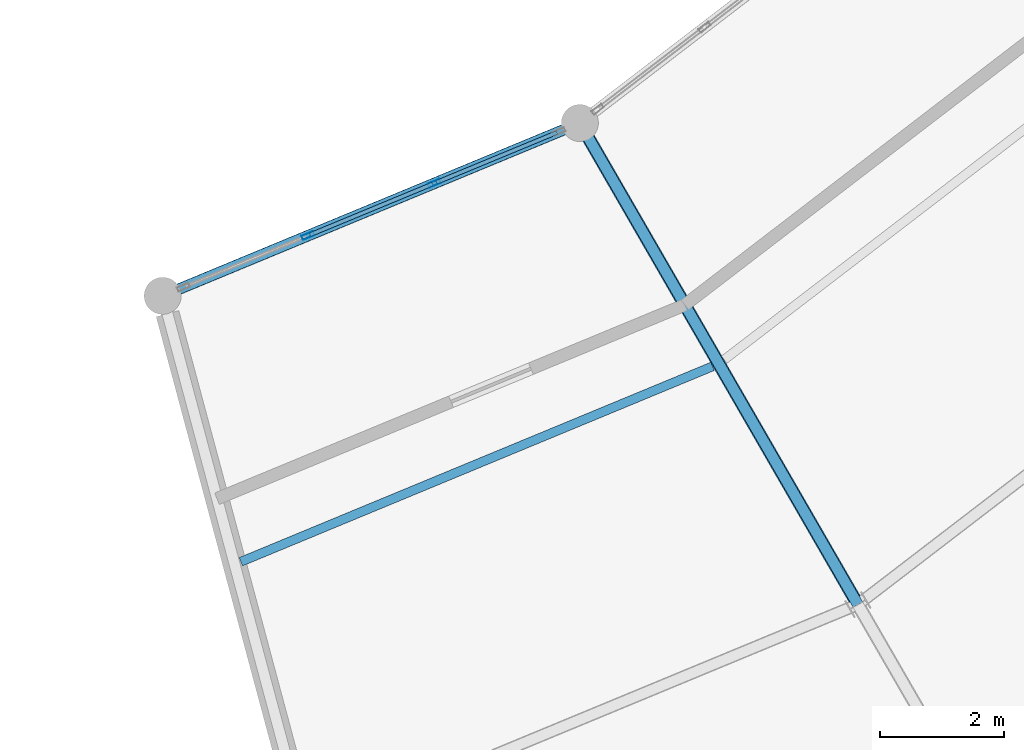
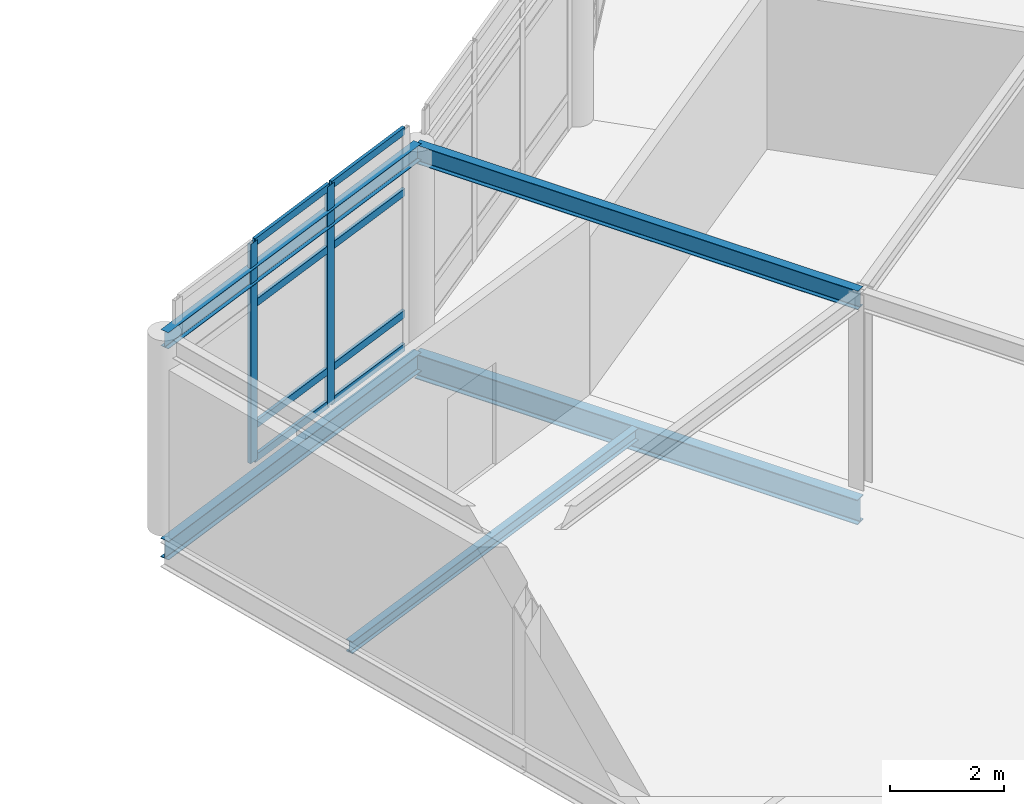
# One storey, part 44 of 170: 10 members, 5 beams, 1 element without a shape of its own.
"""IFC4 building model written with IfcOpenShell, lengths in metres."""

import ifcopenshell
import ifcopenshell.guid

model = None  # the IFC model being written
_history = None  # IfcOwnerHistory: only IFC2X3 demands one
_inside = {}  # id of a spatial element -> (the spatial element, [elements in it])
_under = {}  # id of a project, library or spatial element -> (it, [spatial elements below it])
_declared = {}  # id of a project -> (the project, [libraries it declares])
_typed = {}  # id of a type object -> (the type object, [elements of that type])
_made_of = {}  # id of a material, layer set ... -> (it, [elements and type objects made of it])


def new_model(schema):
    """Start an empty IFC model of exactly this schema.

    Asked for "IFC4X3", IfcOpenShell would pick the latest addendum, in which some entities
    have other attributes; the version numbers below select the first issue.
    IFC2X3 requires an IfcOwnerHistory on every rooted entity: one is made here for all.
    """
    global model, _history
    if schema == "IFC4X3":
        model = ifcopenshell.file(schema_version=(4, 3, 0, 0))
    else:
        model = ifcopenshell.file(schema=schema)
    _inside.clear()
    _under.clear()
    _declared.clear()
    _typed.clear()
    _made_of.clear()
    _history = None
    if model.schema == "IFC2X3":
        org = make("IfcOrganization", Name="unknown")
        user = make(
            "IfcPersonAndOrganization",
            ThePerson=make("IfcPerson", FamilyName="unknown"),
            TheOrganization=org,
        )
        app = make(
            "IfcApplication",
            ApplicationDeveloper=org,
            Version="unknown",
            ApplicationFullName="unknown",
            ApplicationIdentifier="unknown",
        )
        _history = make(
            "IfcOwnerHistory",
            OwningUser=user,
            OwningApplication=app,
            ChangeAction="ADDED",
            CreationDate=0,
        )
    return model


def make(cls, **values):
    """One entity of the class cls with the attributes given. An attribute that is None is left unset."""
    return model.create_entity(
        cls, **{name: value for name, value in values.items() if value is not None}
    )


def rooted(cls, **values):
    """An entity with a GlobalId (a new one), such as an element, a storey or a relation."""
    return make(cls, GlobalId=ifcopenshell.guid.new(), OwnerHistory=_history, **values)


def si_unit(unit_type, name, prefix=None):
    """IfcSIUnit, for example si_unit("LENGTHUNIT", "METRE", prefix="MILLI")."""
    return make("IfcSIUnit", UnitType=unit_type, Prefix=prefix, Name=name)


def assignment(units):
    """IfcUnitAssignment: the units of a project."""
    return None if units is None else make("IfcUnitAssignment", Units=units)


def point(xyz):
    """IfcCartesianPoint."""
    return None if xyz is None else make("IfcCartesianPoint", Coordinates=xyz)


def direction(xyz):
    """IfcDirection."""
    return None if xyz is None else make("IfcDirection", DirectionRatios=xyz)


def frame(location, z_axis=None, x_axis=None):
    """IfcAxis2Placement3D, a coordinate frame: its origin and axes. An axis left out is left unset."""
    return make(
        "IfcAxis2Placement3D",
        Location=point(location),
        Axis=direction(z_axis),
        RefDirection=direction(x_axis),
    )


def frame_2d(location, x_axis=None):
    """IfcAxis2Placement2D, a coordinate frame in the plane: its origin and x axis."""
    return make(
        "IfcAxis2Placement2D", Location=point(location), RefDirection=direction(x_axis)
    )


def origin():
    """The frame at (0, 0, 0) with its axes left unset."""
    return frame((0.0, 0.0, 0.0))


def origin_2d():
    """The frame at (0, 0) in the plane with its x axis left unset."""
    return frame_2d((0.0, 0.0))


def place(relative_to, where):
    """IfcLocalPlacement: puts the frame where relative to a parent placement (None: the world)."""
    return make(
        "IfcLocalPlacement", PlacementRelTo=relative_to, RelativePlacement=where
    )


def context(
    kind, dimensions, precision=None, world=None, true_north=None, identifier=None
):
    """IfcGeometricRepresentationContext, for example the 3D "Model" context."""
    return make(
        "IfcGeometricRepresentationContext",
        ContextIdentifier=identifier,
        ContextType=kind,
        CoordinateSpaceDimension=dimensions,
        Precision=precision,
        WorldCoordinateSystem=world,
        TrueNorth=true_north,
    )


def subcontext(parent, identifier, kind, view, scale=None):
    """IfcGeometricRepresentationSubContext, for example "Body" below "Model"."""
    return make(
        "IfcGeometricRepresentationSubContext",
        ContextIdentifier=identifier,
        ContextType=kind,
        ParentContext=parent,
        TargetScale=scale,
        TargetView=view,
    )


def project(units=None, contexts=None):
    """IfcProject with its units and contexts."""
    return rooted(
        "IfcProject",
        Name="project",
        RepresentationContexts=contexts,
        UnitsInContext=assignment(units),
    )


def spatial(cls, under=None, at=None, **own):
    """A site, building, storey or space (cls), placed at a placement, below another one or the project."""
    s = rooted(cls, ObjectPlacement=at, **own)
    if under is not None:
        _under.setdefault(under.id(), (under, []))[1].append(s)
    return s


def profile(cls, at=None, kind="AREA", **sizes):
    """A parametric profile (cls). Its sizes go by their IFC names, for example OverallWidth=200.0."""
    return make(cls, ProfileType=kind, Position=at, **sizes)


def hollow_rectangle(**sizes):
    """IfcRectangleHollowProfileDef."""
    return profile("IfcRectangleHollowProfileDef", **sizes)


def i_section(**sizes):
    """IfcIShapeProfileDef."""
    return profile("IfcIShapeProfileDef", **sizes)


def extrude(swept, where, along, depth):
    """IfcExtrudedAreaSolid: the profile swept, set in the frame where, extruded along a direction by depth."""
    return make(
        "IfcExtrudedAreaSolid",
        SweptArea=swept,
        Position=where,
        ExtrudedDirection=direction(along),
        Depth=depth,
    )


def shape(context_of_items, identifier, shape_type, items):
    """IfcShapeRepresentation: the items that make up one representation, for example the "Body"."""
    return make(
        "IfcShapeRepresentation",
        ContextOfItems=context_of_items,
        RepresentationIdentifier=identifier,
        RepresentationType=shape_type,
        Items=items,
    )


def material(Name=None, Category=None):
    """IfcMaterial."""
    return make("IfcMaterial", Name=Name, Category=Category)


def material_profile(
    of_material, cross_section, Name=None, Category=None, Priority=None
):
    """IfcMaterialProfile: a cross section and its material."""
    return make(
        "IfcMaterialProfile",
        Name=Name,
        Material=of_material,
        Profile=cross_section,
        Priority=Priority,
        Category=Category,
    )


def profile_set(profiles, Name=None, composite=None):
    """IfcMaterialProfileSet."""
    return make(
        "IfcMaterialProfileSet",
        Name=Name,
        MaterialProfiles=profiles,
        CompositeProfile=composite,
    )


def made_of(thing, what):
    """Note that an element or type object is made of a material, layer set ...; save() writes the relation."""
    if what is not None:
        _made_of.setdefault(what.id(), (what, []))[1].append(thing)
    return thing


def type_object(cls, material=None, **own):
    """A type object (cls), such as IfcWallType, which elements share."""
    return made_of(rooted(cls, **own), material)


def element(
    cls,
    number,
    at=None,
    inside=None,
    cuts=None,
    type_object=None,
    material=None,
    context=None,
    identifier="Body",
    shape_type=None,
    held_by="IfcProductDefinitionShape",
    body=None,
    shapes=None,
    **own,
):
    """One element of the class cls, such as IfcWall. Its Tag is "e" and its number.

    at: its placement. inside: the storey or other place that contains it. cuts: it is an
    opening in that element (IfcRelVoidsElement). A single representation is given by context,
    identifier, shape_type and body (its items); several are given by shapes. held_by: the class
    of the entity that holds the representations. save() writes the other relations.
    """
    e = rooted(cls, Tag="e%d" % number, ObjectPlacement=at, **own)
    if body is not None:
        shapes = [shape(context, identifier, shape_type, body)]
    if shapes is not None:
        e.Representation = make(held_by, Representations=shapes)
    if inside is not None:
        _inside.setdefault(inside.id(), (inside, []))[1].append(e)
    if cuts is not None:
        rooted(
            "IfcRelVoidsElement", RelatingBuildingElement=cuts, RelatedOpeningElement=e
        )
    if type_object is not None:
        _typed.setdefault(type_object.id(), (type_object, []))[1].append(e)
    return made_of(e, material)


def aggregate(whole, parts):
    """IfcRelAggregates: a whole, such as a stair, and the parts it consists of."""
    return rooted("IfcRelAggregates", RelatingObject=whole, RelatedObjects=parts)


def save(model, path):
    """Write the relations noted so far, then the file.

    IfcRelAggregates (storeys below a building ...), IfcRelContainedInSpatialStructure (elements
    in a storey), IfcRelDefinesByType, IfcRelAssociatesMaterial and IfcRelDeclares: one each for
    every whole, place, type object, material and project.
    """
    for whole, parts in _under.values():
        aggregate(whole, parts)
    for where, things in _inside.values():
        rooted(
            "IfcRelContainedInSpatialStructure",
            RelatedElements=things,
            RelatingStructure=where,
        )
    for kind, things in _typed.values():
        rooted("IfcRelDefinesByType", RelatedObjects=things, RelatingType=kind)
    for what, things in _made_of.values():
        rooted("IfcRelAssociatesMaterial", RelatedObjects=things, RelatingMaterial=what)
    for by, libraries in _declared.values():
        rooted("IfcRelDeclares", RelatingContext=by, RelatedDefinitions=libraries)
    model.write(path)


model = new_model("IFC4")

# Units and contexts
model_context = context("Model", 3, precision=1e-05, world=origin(), true_north=direction((0.0, 1.0)))
body_context = subcontext(model_context, "Body", "Model", "MODEL_VIEW")
ifc_project = project(units=[si_unit("LENGTHUNIT", "METRE"), si_unit("AREAUNIT", "SQUARE_METRE"), si_unit("VOLUMEUNIT", "CUBIC_METRE"), si_unit("PLANEANGLEUNIT", "RADIAN"), si_unit("MASSUNIT", "GRAM", prefix="KILO")], contexts=[model_context])

# Site, building, storey
site_placement = place(None, origin())
site = spatial("IfcSite", under=ifc_project, at=site_placement, CompositionType="ELEMENT")
building_placement = place(site_placement, origin())
building = spatial("IfcBuilding", under=site, at=building_placement, Name="Vondelvale Polytechnic", CompositionType="ELEMENT")
storey_placement = place(building_placement, frame((0.0, 0.0, 5.39990234375)))
storey = spatial("IfcBuildingStorey", under=building, at=storey_placement, Name="L01", CompositionType="ELEMENT", Elevation=5.39990234375)

# Beams
ifc_material_1 = material(Name="Steel 300PLUS (fy = 300 MPa)", Category="steel")
ifc_material_profile_1 = material_profile(ifc_material_1, i_section(OverallWidth=0.1708984375, OverallDepth=0.35205078125, WebThickness=0.0068359375, FlangeThickness=0.009765625, FilletRadius=0.011474609375, at=origin_2d()), Name="360UB44.7")
ifc_profile_set_1 = profile_set([ifc_material_profile_1], Name="Steel 300PLUS (fy = 300 MPa)")
beam_type_1 = type_object("IfcBeamType", Name="BM-UB360L", PredefinedType="BEAM", material=ifc_profile_set_1)
beam_1_placement = place(storey_placement, frame((109.246826171875, 44.9541015625, 4.024169921875), z_axis=(0.923886161226, 0.382667428841, 0.0), x_axis=(-0.382667428841, 0.923886161226, 0.0)))
element("IfcBeam", 1, at=beam_1_placement, inside=storey, type_object=beam_type_1, Name="L01 RE B-24", PredefinedType="BEAM", context=body_context, shape_type="SweptSolid", body=[
    extrude(i_section(OverallWidth=0.1708984375, OverallDepth=0.35205078125, WebThickness=0.0068359375, FlangeThickness=0.009765625, FilletRadius=0.011474609375, at=origin_2d()), origin(), (0.0, 0.0, 1.0), 7.3095703125),
])
ifc_material_profile_2 = material_profile(ifc_material_1, i_section(OverallWidth=0.177978515625, OverallDepth=0.406005859375, WebThickness=0.0078125, FlangeThickness=0.0126953125, FilletRadius=0.011474609375, at=origin_2d()), Name="410UB59.7")
ifc_profile_set_2 = profile_set([ifc_material_profile_2], Name="Steel 300PLUS (fy = 300 MPa)")
beam_type_2 = type_object("IfcBeamType", Name="BM-UB410", PredefinedType="BEAM", material=ifc_profile_set_2)
beam_2_placement = place(storey_placement, frame((109.246826171875, 44.9541015625, -0.48291015625), z_axis=(0.923886161226, 0.382667428841, 0.0), x_axis=(-0.382667428841, 0.923886161226, 0.0)))
element("IfcBeam", 2, at=beam_2_placement, inside=storey, type_object=beam_type_2, Name="L01 RB B-14", PredefinedType="BEAM", context=body_context, shape_type="SweptSolid", body=[
    extrude(i_section(OverallWidth=0.177978515625, OverallDepth=0.406005859375, WebThickness=0.0078125, FlangeThickness=0.0126953125, FilletRadius=0.011474609375, at=origin_2d()), origin(), (0.0, 0.0, 1.0), 7.3095703125),
])
ifc_material_profile_3 = material_profile(ifc_material_1, i_section(OverallWidth=0.177978515625, OverallDepth=0.403076171875, WebThickness=0.007568359375, FlangeThickness=0.010986328125, FilletRadius=0.011474609375, at=origin_2d()), Name="410UB53.7")
ifc_profile_set_3 = profile_set([ifc_material_profile_3], Name="Steel 300PLUS (fy = 300 MPa)")
beam_type_3 = type_object("IfcBeamType", Name="BM-UB410L", PredefinedType="BEAM", material=ifc_profile_set_3)
beam_3_placement = place(storey_placement, frame((116.0, 47.751220703125, 3.99853515625), z_axis=(0.5000018851, -0.866024315419, 0.0), x_axis=(0.866024315419, 0.5000018851, 0.0)))
element("IfcBeam", 3, at=beam_3_placement, inside=storey, type_object=beam_type_3, Name="L01 REG B-23", PredefinedType="BEAM", context=body_context, shape_type="SweptSolid", body=[
    extrude(i_section(OverallWidth=0.177978515625, OverallDepth=0.403076171875, WebThickness=0.007568359375, FlangeThickness=0.010986328125, FilletRadius=0.011474609375, at=origin_2d()), origin(), (0.0, 0.0, 1.0), 9.0),
])
ifc_material_profile_4 = material_profile(ifc_material_1, i_section(OverallWidth=0.208984375, OverallDepth=0.532958984375, WebThickness=0.01025390625, FlangeThickness=0.015625, FilletRadius=0.013916015625, at=origin_2d()), Name="530UB92.4")
ifc_profile_set_4 = profile_set([ifc_material_profile_4], Name="Steel 300PLUS (fy = 300 MPa)")
beam_type_4 = type_object("IfcBeamType", Name="BM-UB530", PredefinedType="BEAM", material=ifc_profile_set_4)
beam_4_placement = place(storey_placement, frame((116.0, 47.751220703125, -0.54638671875), z_axis=(0.5000018851, -0.866024315419, 0.0), x_axis=(0.866024315419, 0.5000018851, 0.0)))
element("IfcBeam", 4, at=beam_4_placement, inside=storey, type_object=beam_type_4, Name="L01 RG B-11", PredefinedType="BEAM", context=body_context, shape_type="SweptSolid", body=[
    extrude(i_section(OverallWidth=0.208984375, OverallDepth=0.532958984375, WebThickness=0.01025390625, FlangeThickness=0.015625, FilletRadius=0.013916015625, at=origin_2d()), origin(), (0.0, 0.0, 1.0), 9.0),
])

# Curtain wall, members
ifc_material_2 = material(Name="Anodised extruded aluminium 6063-T6", Category="aluminium")
curtain_wall_type = type_object("IfcCurtainWallType", Name="CW-RING-CLOISTER", PredefinedType="NOTDEFINED", material=ifc_material_2)
curtain_wall_placement = place(storey_placement, origin())
curtain_wall = element("IfcCurtainWall", 5, at=curtain_wall_placement, inside=storey, type_object=curtain_wall_type, Name="L01 architectural curtain wall CW-03-337", PredefinedType="NOTDEFINED")
ifc_material_profile_5 = material_profile(ifc_material_2, hollow_rectangle(XDim=0.070068359375, YDim=0.199951171875, WallThickness=0.00390625, at=origin_2d()), Name="CW-MUL-200x70")
ifc_profile_set_5 = profile_set([ifc_material_profile_5], Name="Anodised extruded aluminium 6063-T6")
member_type_1 = type_object("IfcMemberType", Name="CW-MUL-70x200", PredefinedType="MULLION", material=ifc_profile_set_5)
member_1_placement = place(storey_placement, frame((111.599609375, 45.9287109375, 0.0), z_axis=(0.0, 0.0, 1.0), x_axis=(-0.382678531697, 0.923881562419, 0.0)))
member_1 = element("IfcMember", 6, at=member_1_placement, type_object=member_type_1, Name="CW-03-337 mullion 2", PredefinedType="MULLION", context=body_context, shape_type="SweptSolid", body=[
    extrude(hollow_rectangle(XDim=0.070068359375, YDim=0.199951171875, WallThickness=0.00390625, at=origin_2d()), origin(), (0.0, 0.0, 1.0), 4.71337890625),
])
member_2_placement = place(storey_placement, frame((113.647216796875, 46.77685546875, 0.0), z_axis=(0.0, 0.0, 1.0), x_axis=(-0.382678531697, 0.923881562419, 0.0)))
member_2 = element("IfcMember", 7, at=member_2_placement, type_object=member_type_1, Name="CW-03-337 mullion 3", PredefinedType="MULLION", context=body_context, shape_type="SweptSolid", body=[
    extrude(hollow_rectangle(XDim=0.070068359375, YDim=0.199951171875, WallThickness=0.00390625, at=origin_2d()), origin(), (0.0, 0.0, 1.0), 4.71337890625),
])
ifc_material_profile_6 = material_profile(ifc_material_2, hollow_rectangle(XDim=0.06494140625, YDim=0.159912109375, WallThickness=0.00341796875, at=origin_2d()), Name="CW-TRN-160x65")
ifc_profile_set_6 = profile_set([ifc_material_profile_6], Name="Anodised extruded aluminium 6063-T6")
member_type_2 = type_object("IfcMemberType", Name="CW-TRN-70x160", PredefinedType="USERDEFINED", material=ifc_profile_set_6)
member_3_placement = place(storey_placement, frame((111.6318359375, 45.94189453125, 0.03271484375), z_axis=(0.923865730094, 0.382716752649, 0.0), x_axis=(-0.382716752649, 0.923865730094, 0.0)))
member_3 = element("IfcMember", 8, at=member_3_placement, type_object=member_type_2, Name="CW-03-337 transom 2.1", ObjectType="TRANSOM", PredefinedType="USERDEFINED", context=body_context, shape_type="SweptSolid", body=[
    extrude(hollow_rectangle(XDim=0.06494140625, YDim=0.159912109375, WallThickness=0.00341796875, at=origin_2d()), origin(), (0.0, 0.0, 1.0), 2.146484375),
])
member_4_placement = place(storey_placement, frame((111.6318359375, 45.94189453125, 0.75), z_axis=(0.923865730094, 0.382716752649, 0.0), x_axis=(-0.382716752649, 0.923865730094, 0.0)))
member_4 = element("IfcMember", 9, at=member_4_placement, type_object=member_type_2, Name="CW-03-337 transom 2.2", ObjectType="TRANSOM", PredefinedType="USERDEFINED", context=body_context, shape_type="SweptSolid", body=[
    extrude(hollow_rectangle(XDim=0.06494140625, YDim=0.159912109375, WallThickness=0.00341796875, at=origin_2d()), origin(), (0.0, 0.0, 1.0), 2.146484375),
])
member_5_placement = place(storey_placement, frame((111.6318359375, 45.94189453125, 3.36328125), z_axis=(0.923865730094, 0.382716752649, 0.0), x_axis=(-0.382716752649, 0.923865730094, 0.0)))
member_5 = element("IfcMember", 10, at=member_5_placement, type_object=member_type_2, Name="CW-03-337 transom 2.3", ObjectType="TRANSOM", PredefinedType="USERDEFINED", context=body_context, shape_type="SweptSolid", body=[
    extrude(hollow_rectangle(XDim=0.06494140625, YDim=0.159912109375, WallThickness=0.00341796875, at=origin_2d()), origin(), (0.0, 0.0, 1.0), 2.146484375),
])
member_6_placement = place(storey_placement, frame((111.6318359375, 45.94189453125, 4.680908203125), z_axis=(0.923865730094, 0.382716752649, 0.0), x_axis=(-0.382716752649, 0.923865730094, 0.0)))
member_6 = element("IfcMember", 11, at=member_6_placement, type_object=member_type_2, Name="CW-03-337 transom 2.4", ObjectType="TRANSOM", PredefinedType="USERDEFINED", context=body_context, shape_type="SweptSolid", body=[
    extrude(hollow_rectangle(XDim=0.06494140625, YDim=0.159912109375, WallThickness=0.00341796875, at=origin_2d()), origin(), (0.0, 0.0, 1.0), 2.146484375),
])
member_7_placement = place(storey_placement, frame((113.6796875, 46.790283203125, 0.03271484375), z_axis=(0.923902685011, 0.382627532503, 0.0), x_axis=(-0.382627532503, 0.923902685011, 0.0)))
member_7 = element("IfcMember", 12, at=member_7_placement, type_object=member_type_2, Name="CW-03-337 transom 3.1", ObjectType="TRANSOM", PredefinedType="USERDEFINED", context=body_context, shape_type="SweptSolid", body=[
    extrude(hollow_rectangle(XDim=0.06494140625, YDim=0.159912109375, WallThickness=0.00341796875, at=origin_2d()), origin(), (0.0, 0.0, 1.0), 2.111328125),
])
member_8_placement = place(storey_placement, frame((113.6796875, 46.790283203125, 0.75), z_axis=(0.923902685011, 0.382627532503, 0.0), x_axis=(-0.382627532503, 0.923902685011, 0.0)))
member_8 = element("IfcMember", 13, at=member_8_placement, type_object=member_type_2, Name="CW-03-337 transom 3.2", ObjectType="TRANSOM", PredefinedType="USERDEFINED", context=body_context, shape_type="SweptSolid", body=[
    extrude(hollow_rectangle(XDim=0.06494140625, YDim=0.159912109375, WallThickness=0.00341796875, at=origin_2d()), origin(), (0.0, 0.0, 1.0), 2.111328125),
])
member_9_placement = place(storey_placement, frame((113.6796875, 46.790283203125, 3.36328125), z_axis=(0.923902685011, 0.382627532503, 0.0), x_axis=(-0.382627532503, 0.923902685011, 0.0)))
member_9 = element("IfcMember", 14, at=member_9_placement, type_object=member_type_2, Name="CW-03-337 transom 3.3", ObjectType="TRANSOM", PredefinedType="USERDEFINED", context=body_context, shape_type="SweptSolid", body=[
    extrude(hollow_rectangle(XDim=0.06494140625, YDim=0.159912109375, WallThickness=0.00341796875, at=origin_2d()), origin(), (0.0, 0.0, 1.0), 2.111328125),
])
member_10_placement = place(storey_placement, frame((113.6796875, 46.790283203125, 4.680908203125), z_axis=(0.923902685011, 0.382627532503, 0.0), x_axis=(-0.382627532503, 0.923902685011, 0.0)))
member_10 = element("IfcMember", 15, at=member_10_placement, type_object=member_type_2, Name="CW-03-337 transom 3.4", ObjectType="TRANSOM", PredefinedType="USERDEFINED", context=body_context, shape_type="SweptSolid", body=[
    extrude(hollow_rectangle(XDim=0.06494140625, YDim=0.159912109375, WallThickness=0.00341796875, at=origin_2d()), origin(), (0.0, 0.0, 1.0), 2.111328125),
])
aggregate(curtain_wall, [member_1, member_2, member_3, member_4, member_5, member_6, member_7, member_8, member_9, member_10])

# Beam
ifc_material_profile_7 = material_profile(ifc_material_1, i_section(OverallWidth=0.14599609375, OverallDepth=0.256103515625, WebThickness=0.00634765625, FlangeThickness=0.010986328125, FilletRadius=0.0087890625, at=origin_2d()), Name="250UB37.3")
ifc_profile_set_7 = profile_set([ifc_material_profile_7], Name="Steel 300PLUS (fy = 300 MPa)")
beam_type_5 = type_object("IfcBeamType", Name="JST-UB250", PredefinedType="JOIST", material=ifc_profile_set_7)
beam_5_placement = place(storey_placement, frame((110.51318359375, 40.6494140625, -0.407958984375), z_axis=(0.923880733098, 0.38268053388, 0.0), x_axis=(-0.38268053388, 0.923880733098, 0.0)))
element("IfcBeam", 16, at=beam_5_placement, inside=storey, type_object=beam_type_5, Name="L01 RJ J-06", PredefinedType="JOIST", context=body_context, shape_type="SweptSolid", body=[
    extrude(i_section(OverallWidth=0.14599609375, OverallDepth=0.256103515625, WebThickness=0.00634765625, FlangeThickness=0.010986328125, FilletRadius=0.0087890625, at=origin_2d()), origin(), (0.0, 0.0, 1.0), 8.264404296875),
])

save(model, "model.ifc")
